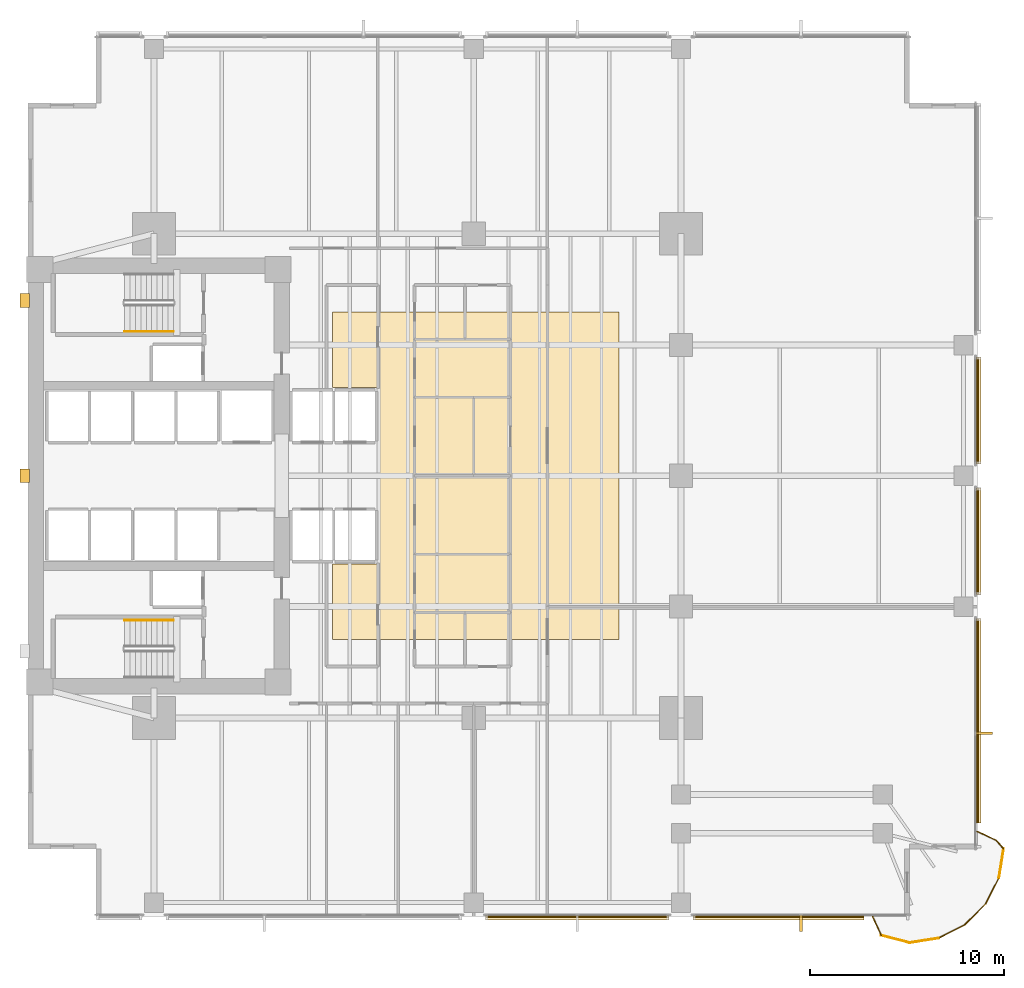
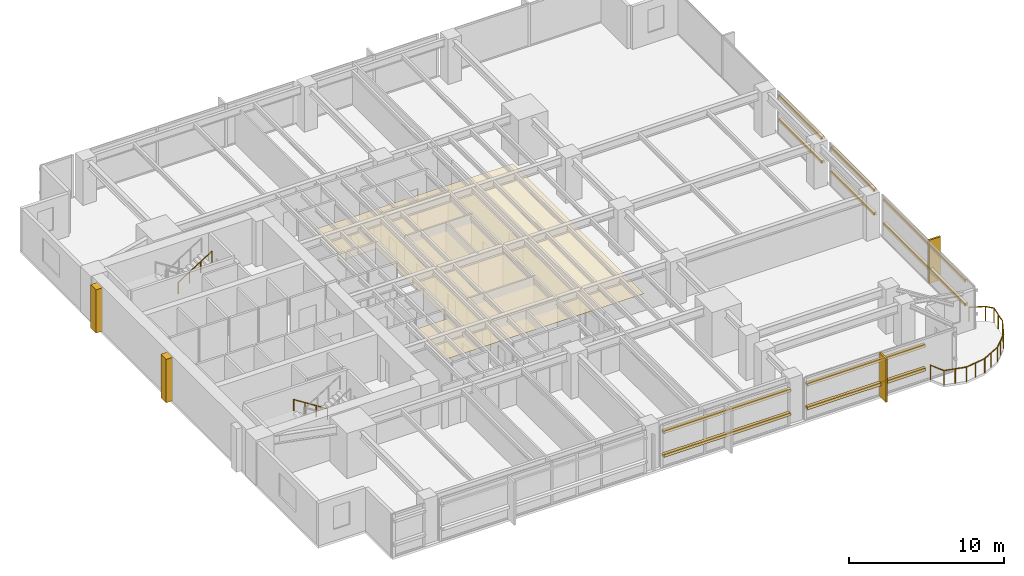
# One storey, part 13 of 15: 15 coverings, 11 railings, 10 shading devices.
"""IFC4 building model written with IfcOpenShell, lengths in metres."""

from ifc_helpers import new_model, si_unit, direction, frame, origin, origin_2d, place, context, subcontext, project, spatial, polyline, rectangle, circle, outline, extrude, material, layer, layer_set, material_profile, profile_set, type_object, element, save


model = new_model("IFC4")

# Units and contexts
model_context = context("Model", 3, precision=1e-05, world=origin(), true_north=direction((0.0, 1.0)))
body_context = subcontext(model_context, "Body", "Model", "MODEL_VIEW")
ifc_project = project(units=[si_unit("LENGTHUNIT", "METRE"), si_unit("AREAUNIT", "SQUARE_METRE"), si_unit("VOLUMEUNIT", "CUBIC_METRE"), si_unit("PLANEANGLEUNIT", "RADIAN"), si_unit("MASSUNIT", "GRAM", prefix="KILO")], contexts=[model_context])

# Site, building, storey
site_placement = place(None, origin())
site = spatial("IfcSite", under=ifc_project, at=site_placement, CompositionType="ELEMENT")
building_placement = place(site_placement, origin())
building = spatial("IfcBuilding", under=site, at=building_placement, Name="Kinhvarn Gate Tower", CompositionType="ELEMENT")
storey_placement = place(building_placement, frame((0.0, 0.0, 85.949951171875)))
storey = spatial("IfcBuildingStorey", under=building, at=storey_placement, Name="L22", CompositionType="ELEMENT", Elevation=85.949951171875)

# Coverings
ifc_material_1 = material(Name="Fired architectural terracotta", Category="masonry")
ifc_layer_1 = layer(ifc_material_1, 0.239990234375)
ifc_layer_set_1 = layer_set([ifc_layer_1], Name="Fired architectural terracotta")
covering_type_1 = type_object("IfcCoveringType", Name="COV-BAG-220", PredefinedType="CLADDING", material=ifc_layer_set_1)
covering_1_placement = place(storey_placement, frame((0.0, 0.0, 0.93994140625)))
element("IfcCovering", 1, at=covering_1_placement, inside=storey, type_object=covering_type_1, Name="Terracotta Horizontal Sunscreen Band TBG-220 (L22)", PredefinedType="CLADDING", context=body_context, shape_type="SweptSolid", body=[
    extrude(outline(polyline([(28.1201171875, 2.56005859375), (37.580078125, 2.56005859375), (37.580078125, 2.320068359375), (28.1201171875, 2.320068359375), (28.1201171875, 2.56005859375)])), origin(), (0.0, 0.0, 1.0), 0.22021484375),
])
covering_2_placement = place(storey_placement, frame((0.0, 0.0, 2.81005859375)))
element("IfcCovering", 2, at=covering_2_placement, inside=storey, type_object=covering_type_1, Name="Terracotta Horizontal Sunscreen Band TBG-220 (L22)", PredefinedType="CLADDING", context=body_context, shape_type="SweptSolid", body=[
    extrude(outline(polyline([(28.1201171875, 2.56005859375), (37.580078125, 2.56005859375), (37.580078125, 2.320068359375), (28.1201171875, 2.320068359375), (28.1201171875, 2.56005859375)])), origin(), (0.0, 0.0, 1.0), 0.219970703125),
])
covering_3_placement = place(storey_placement, frame((0.0, 0.0, 0.93994140625)))
element("IfcCovering", 3, at=covering_3_placement, inside=storey, type_object=covering_type_1, Name="Terracotta Horizontal Sunscreen Band TBG-220 (L22)", PredefinedType="CLADDING", context=body_context, shape_type="SweptSolid", body=[
    extrude(outline(polyline([(38.820068359375, 2.56005859375), (47.639892578125, 2.56005859375), (47.639892578125, 2.320068359375), (38.820068359375, 2.320068359375), (38.820068359375, 2.56005859375)])), origin(), (0.0, 0.0, 1.0), 0.22021484375),
])
covering_4_placement = place(storey_placement, frame((0.0, 0.0, 2.81005859375)))
element("IfcCovering", 4, at=covering_4_placement, inside=storey, type_object=covering_type_1, Name="Terracotta Horizontal Sunscreen Band TBG-220 (L22)", PredefinedType="CLADDING", context=body_context, shape_type="SweptSolid", body=[
    extrude(outline(polyline([(38.820068359375, 2.56005859375), (47.639892578125, 2.56005859375), (47.639892578125, 2.320068359375), (38.820068359375, 2.320068359375), (38.820068359375, 2.56005859375)])), origin(), (0.0, 0.0, 1.0), 0.219970703125),
])
covering_5_placement = place(storey_placement, frame((0.0, 0.0, 0.93994140625)))
element("IfcCovering", 5, at=covering_5_placement, inside=storey, type_object=covering_type_1, Name="Terracotta Horizontal Sunscreen Band TBG-220 (L22)", PredefinedType="CLADDING", context=body_context, shape_type="SweptSolid", body=[
    extrude(outline(polyline([(53.43994140625, 7.3359375), (53.43994140625, 17.8798828125), (53.679931640625, 17.8798828125), (53.679931640625, 7.3359375), (53.43994140625, 7.3359375)])), origin(), (0.0, 0.0, 1.0), 0.22021484375),
])
covering_6_placement = place(storey_placement, frame((0.0, 0.0, 2.81005859375)))
element("IfcCovering", 6, at=covering_6_placement, inside=storey, type_object=covering_type_1, Name="Terracotta Horizontal Sunscreen Band TBG-220 (L22)", PredefinedType="CLADDING", context=body_context, shape_type="SweptSolid", body=[
    extrude(outline(polyline([(53.43994140625, 7.3359375), (53.43994140625, 17.8798828125), (53.679931640625, 17.8798828125), (53.679931640625, 7.3359375), (53.43994140625, 7.3359375)])), origin(), (0.0, 0.0, 1.0), 0.219970703125),
])
covering_7_placement = place(storey_placement, frame((0.0, 0.0, 0.93994140625)))
element("IfcCovering", 7, at=covering_7_placement, inside=storey, type_object=covering_type_1, Name="Terracotta Horizontal Sunscreen Band TBG-220 (L22)", PredefinedType="CLADDING", context=body_context, shape_type="SweptSolid", body=[
    extrude(outline(polyline([(53.43994140625, 19.1201171875), (53.43994140625, 24.6298828125), (53.679931640625, 24.6298828125), (53.679931640625, 19.1201171875), (53.43994140625, 19.1201171875)])), origin(), (0.0, 0.0, 1.0), 0.22021484375),
])
covering_8_placement = place(storey_placement, frame((0.0, 0.0, 2.81005859375)))
element("IfcCovering", 8, at=covering_8_placement, inside=storey, type_object=covering_type_1, Name="Terracotta Horizontal Sunscreen Band TBG-220 (L22)", PredefinedType="CLADDING", context=body_context, shape_type="SweptSolid", body=[
    extrude(outline(polyline([(53.43994140625, 19.1201171875), (53.43994140625, 24.6298828125), (53.679931640625, 24.6298828125), (53.679931640625, 19.1201171875), (53.43994140625, 19.1201171875)])), origin(), (0.0, 0.0, 1.0), 0.219970703125),
])
covering_9_placement = place(storey_placement, frame((0.0, 0.0, 0.93994140625)))
element("IfcCovering", 9, at=covering_9_placement, inside=storey, type_object=covering_type_1, Name="Terracotta Horizontal Sunscreen Band TBG-220 (L22)", PredefinedType="CLADDING", context=body_context, shape_type="SweptSolid", body=[
    extrude(outline(polyline([(53.43994140625, 25.8701171875), (53.43994140625, 31.3798828125), (53.679931640625, 31.3798828125), (53.679931640625, 25.8701171875), (53.43994140625, 25.8701171875)])), origin(), (0.0, 0.0, 1.0), 0.22021484375),
])
covering_10_placement = place(storey_placement, frame((0.0, 0.0, 2.81005859375)))
element("IfcCovering", 10, at=covering_10_placement, inside=storey, type_object=covering_type_1, Name="Terracotta Horizontal Sunscreen Band TBG-220 (L22)", PredefinedType="CLADDING", context=body_context, shape_type="SweptSolid", body=[
    extrude(outline(polyline([(53.43994140625, 25.8701171875), (53.43994140625, 31.3798828125), (53.679931640625, 31.3798828125), (53.679931640625, 25.8701171875), (53.43994140625, 25.8701171875)])), origin(), (0.0, 0.0, 1.0), 0.219970703125),
])
ifc_material_2 = material(Name="Mineral-fibre acoustic ceiling tile")
ifc_layer_2 = layer(ifc_material_2, 0.02001953125)
ifc_layer_set_2 = layer_set([ifc_layer_2], Name="Mineral-fibre acoustic ceiling tile")
covering_type_2 = type_object("IfcCoveringType", Name="COV-CEIL-20", PredefinedType="CEILING", material=ifc_layer_set_2)
covering_11_placement = place(storey_placement, frame((0.0, 0.0, 2.650146484375)))
element("IfcCovering", 11, at=covering_11_placement, inside=storey, type_object=covering_type_2, Name="Suspended Acoustic Ceiling Tile (L22-1)", PredefinedType="CEILING", context=body_context, shape_type="SweptSolid", body=[
    extrude(outline(polyline([(35.0, 33.699951171875), (35.0, 16.800048828125), (20.199951171875, 16.800048828125), (20.199951171875, 20.699951171875), (22.60009765625, 20.699951171875), (22.60009765625, 29.800048828125), (20.199951171875, 29.800048828125), (20.199951171875, 33.699951171875), (35.0, 33.699951171875)])), origin(), (0.0, 0.0, 1.0), 0.02001953125),
])
ifc_layer_3 = layer(ifc_material_1, 0.139892578125)
ifc_layer_set_3 = layer_set([ifc_layer_3], Name="Fired architectural terracotta")
covering_type_3 = type_object("IfcCoveringType", Name="COV-FIN-850", PredefinedType="CLADDING", material=ifc_layer_set_3)
covering_12_placement = place(storey_placement, frame((0.0, 0.0, -0.02001953125)))
element("IfcCovering", 12, at=covering_12_placement, inside=storey, type_object=covering_type_3, Name="Vertical Terracotta Expressive Fin TFN-850 (L22)", PredefinedType="CLADDING", context=body_context, shape_type="SweptSolid", body=[
    extrude(outline(polyline([(44.320068359375, 2.570068359375), (44.4599609375, 2.570068359375), (44.4599609375, 1.719970703125), (44.320068359375, 1.719970703125), (44.320068359375, 2.570068359375)])), origin(), (0.0, 0.0, 1.0), 3.41015625),
])
covering_13_placement = place(storey_placement, frame((0.0, 0.0, -0.02001953125)))
element("IfcCovering", 13, at=covering_13_placement, inside=storey, type_object=covering_type_3, Name="Vertical Terracotta Expressive Fin TFN-850 (L22)", PredefinedType="CLADDING", context=body_context, shape_type="SweptSolid", body=[
    extrude(outline(polyline([(53.429931640625, 11.889892578125), (53.429931640625, 12.030029296875), (54.280029296875, 12.030029296875), (54.280029296875, 11.889892578125), (53.429931640625, 11.889892578125)])), origin(), (0.0, 0.0, 1.0), 3.41015625),
])
ifc_material_3 = material(Name="Precast white architectural concrete C40/50", Category="concrete")
ifc_layer_4 = layer(ifc_material_3, 0.47998046875)
ifc_layer_set_4 = layer_set([ifc_layer_4], Name="Precast white architectural concrete C40/50")
covering_type_4 = type_object("IfcCoveringType", Name="COV-RIB-450", PredefinedType="CLADDING", material=ifc_layer_set_4)
covering_14_placement = place(storey_placement, frame((0.0, 0.0, -0.02001953125)))
element("IfcCovering", 14, at=covering_14_placement, inside=storey, type_object=covering_type_4, Name="West Core Sculptural Concrete Relief Rib CRB-450 (L22)", PredefinedType="CLADDING", context=body_context, shape_type="SweptSolid", body=[
    extrude(outline(polyline([(4.080078125, 24.89990234375), (4.56005859375, 24.89990234375), (4.56005859375, 25.60009765625), (4.080078125, 25.60009765625), (4.080078125, 24.89990234375)])), origin(), (0.0, 0.0, 1.0), 3.41015625),
])
covering_15_placement = place(storey_placement, frame((0.0, 0.0, -0.02001953125)))
element("IfcCovering", 15, at=covering_15_placement, inside=storey, type_object=covering_type_4, Name="West Core Sculptural Concrete Relief Rib CRB-450 (L22)", PredefinedType="CLADDING", context=body_context, shape_type="SweptSolid", body=[
    extrude(outline(polyline([(4.080078125, 33.949951171875), (4.56005859375, 33.949951171875), (4.56005859375, 34.64990234375), (4.080078125, 34.64990234375), (4.080078125, 33.949951171875)])), origin(), (0.0, 0.0, 1.0), 3.41015625),
])

# Railings
ifc_material_4 = material(Name="Clear low-e double glazing", Category="glass")
railing_type_1 = type_object("IfcRailingType", Name="RL-BAL-1150", PredefinedType="BALUSTRADE", material=ifc_material_4)
railing_1_placement = place(storey_placement, frame((48.090087890625, 2.5, 0.0)))
element("IfcRailing", 16, at=railing_1_placement, inside=storey, type_object=railing_type_1, Name="S-Carve Balcony Guardrail Seg 1 (L22)", PredefinedType="BALUSTRADE", context=body_context, shape_type="SweptSolid", body=[
    extrude(circle(Radius=0.02392578125, at=origin_2d()), frame((0.0, 0.0, 1.1259765625), z_axis=(0.420113139387, -0.90747173516, 0.0), x_axis=(0.90747173516, 0.420113139387, 0.0)), (0.0, 0.0, 1.0), 1.071044921875),
    extrude(circle(Radius=0.02099609375, at=origin_2d()), origin(), (0.0, 0.0, 1.0), 1.101806640625),
    extrude(circle(Radius=0.02099609375, at=origin_2d()), frame((0.449951171875, -0.971923828125, 0.0)), (0.0, 0.0, 1.0), 1.101806640625),
])
railing_2_placement = place(storey_placement, frame((48.5400390625, 1.528076171875, 0.0)))
element("IfcRailing", 17, at=railing_2_placement, inside=storey, type_object=railing_type_1, Name="S-Carve Balcony Guardrail Seg 2 (L22)", PredefinedType="BALUSTRADE", context=body_context, shape_type="SweptSolid", body=[
    extrude(circle(Radius=0.02392578125, at=origin_2d()), frame((0.0, 0.0, 1.1259765625), z_axis=(0.968050766956, -0.250754287293, 0.0), x_axis=(0.250754287293, 0.968050766956, 0.0)), (0.0, 0.0, 1.0), 1.508056640625),
    extrude(circle(Radius=0.02099609375, at=origin_2d()), origin(), (0.0, 0.0, 1.0), 1.101806640625),
    extrude(circle(Radius=0.02099609375, at=origin_2d()), frame((0.72998046875, -0.18896484375, 0.0)), (0.0, 0.0, 1.0), 1.101806640625),
    extrude(circle(Radius=0.02099609375, at=origin_2d()), frame((1.4599609375, -0.378173828125, 0.0)), (0.0, 0.0, 1.0), 1.101806640625),
])
railing_3_placement = place(storey_placement, frame((50.0, 1.14990234375, 0.0)))
element("IfcRailing", 18, at=railing_3_placement, inside=storey, type_object=railing_type_1, Name="S-Carve Balcony Guardrail Seg 3 (L22)", PredefinedType="BALUSTRADE", context=body_context, shape_type="SweptSolid", body=[
    extrude(circle(Radius=0.02392578125, at=origin_2d()), frame((0.0, 0.0, 1.1259765625), z_axis=(0.987671483067, 0.156540862196, 0.0), x_axis=(-0.156540862196, 0.987671483067, 0.0)), (0.0, 0.0, 1.0), 1.517578125),
    extrude(circle(Radius=0.02099609375, at=origin_2d()), origin(), (0.0, 0.0, 1.0), 1.101806640625),
    extrude(circle(Radius=0.02099609375, at=origin_2d()), frame((0.74951171875, 0.11865234375, 0.0)), (0.0, 0.0, 1.0), 1.101806640625),
    extrude(circle(Radius=0.02099609375, at=origin_2d()), frame((1.498779296875, 0.237548828125, 0.0)), (0.0, 0.0, 1.0), 1.101806640625),
])
railing_4_placement = place(storey_placement, frame((51.498779296875, 1.387451171875, 0.0)))
element("IfcRailing", 19, at=railing_4_placement, inside=storey, type_object=railing_type_1, Name="S-Carve Balcony Guardrail Seg 4 (L22)", PredefinedType="BALUSTRADE", context=body_context, shape_type="SweptSolid", body=[
    extrude(circle(Radius=0.02392578125, at=origin_2d()), frame((0.0, 0.0, 1.1259765625), z_axis=(0.890990379828, 0.454022183437, 0.0), x_axis=(-0.454022183437, 0.890990379828, 0.0)), (0.0, 0.0, 1.0), 1.517578125),
    extrude(circle(Radius=0.02099609375, at=origin_2d()), origin(), (0.0, 0.0, 1.0), 1.101806640625),
    extrude(circle(Radius=0.02099609375, at=origin_2d()), frame((0.676025390625, 0.344482421875, 0.0)), (0.0, 0.0, 1.0), 1.101806640625),
    extrude(circle(Radius=0.02099609375, at=origin_2d()), frame((1.35205078125, 0.68896484375, 0.0)), (0.0, 0.0, 1.0), 1.101806640625),
])
railing_5_placement = place(storey_placement, frame((52.850830078125, 2.076416015625, 0.0)))
element("IfcRailing", 20, at=railing_5_placement, inside=storey, type_object=railing_type_1, Name="S-Carve Balcony Guardrail Seg 5 (L22)", PredefinedType="BALUSTRADE", context=body_context, shape_type="SweptSolid", body=[
    extrude(circle(Radius=0.02392578125, at=origin_2d()), frame((0.0, 0.0, 1.1259765625), z_axis=(0.707106781187, 0.707106781187, 0.0), x_axis=(-0.707106781187, 0.707106781187, 0.0)), (0.0, 0.0, 1.0), 1.51708984375),
    extrude(circle(Radius=0.02099609375, at=origin_2d()), origin(), (0.0, 0.0, 1.0), 1.101806640625),
    extrude(circle(Radius=0.02099609375, at=origin_2d()), frame((0.536376953125, 0.536376953125, 0.0)), (0.0, 0.0, 1.0), 1.101806640625),
    extrude(circle(Radius=0.02099609375, at=origin_2d()), frame((1.07275390625, 1.07275390625, 0.0)), (0.0, 0.0, 1.0), 1.101806640625),
])
railing_6_placement = place(storey_placement, frame((53.923583984375, 3.149169921875, 0.0)))
element("IfcRailing", 21, at=railing_6_placement, inside=storey, type_object=railing_type_1, Name="S-Carve Balcony Guardrail Seg 6 (L22)", PredefinedType="BALUSTRADE", context=body_context, shape_type="SweptSolid", body=[
    extrude(circle(Radius=0.02392578125, at=origin_2d()), frame((0.0, 0.0, 1.1259765625), z_axis=(0.454022183437, 0.890990379828, 0.0), x_axis=(-0.890990379828, 0.454022183437, 0.0)), (0.0, 0.0, 1.0), 1.517578125),
    extrude(circle(Radius=0.02099609375, at=origin_2d()), origin(), (0.0, 0.0, 1.0), 1.101806640625),
    extrude(circle(Radius=0.02099609375, at=origin_2d()), frame((0.344482421875, 0.676025390625, 0.0)), (0.0, 0.0, 1.0), 1.101806640625),
    extrude(circle(Radius=0.02099609375, at=origin_2d()), frame((0.68896484375, 1.35205078125, 0.0)), (0.0, 0.0, 1.0), 1.101806640625),
])
railing_7_placement = place(storey_placement, frame((54.612548828125, 4.501220703125, 0.0)))
element("IfcRailing", 22, at=railing_7_placement, inside=storey, type_object=railing_type_1, Name="S-Carve Balcony Guardrail Seg 7 (L22)", PredefinedType="BALUSTRADE", context=body_context, shape_type="SweptSolid", body=[
    extrude(circle(Radius=0.02392578125, at=origin_2d()), frame((0.0, 0.0, 1.1259765625), z_axis=(0.156540862196, 0.987671483067, 0.0), x_axis=(-0.987671483067, 0.156540862196, 0.0)), (0.0, 0.0, 1.0), 1.517578125),
    extrude(circle(Radius=0.02099609375, at=origin_2d()), origin(), (0.0, 0.0, 1.0), 1.101806640625),
    extrude(circle(Radius=0.02099609375, at=origin_2d()), frame((0.11865234375, 0.74951171875, 0.0)), (0.0, 0.0, 1.0), 1.101806640625),
    extrude(circle(Radius=0.02099609375, at=origin_2d()), frame((0.237548828125, 1.498779296875, 0.0)), (0.0, 0.0, 1.0), 1.101806640625),
])
railing_8_placement = place(storey_placement, frame((54.85009765625, 6.0, 0.0)))
element("IfcRailing", 23, at=railing_8_placement, inside=storey, type_object=railing_type_1, Name="S-Carve Balcony Guardrail Seg 8 (L22)", PredefinedType="BALUSTRADE", context=body_context, shape_type="SweptSolid", body=[
    extrude(circle(Radius=0.02392578125, at=origin_2d()), frame((0.0, 0.0, 1.1259765625), z_axis=(-0.655204254975, 0.755451774942, 0.0), x_axis=(-0.755451774942, -0.655204254975, 0.0)), (0.0, 0.0, 1.0), 0.5771484375),
    extrude(circle(Radius=0.02099609375, at=origin_2d()), origin(), (0.0, 0.0, 1.0), 1.101806640625),
    extrude(circle(Radius=0.02099609375, at=origin_2d()), frame((-0.378173828125, 0.43603515625, 0.0)), (0.0, 0.0, 1.0), 1.101806640625),
])
railing_9_placement = place(storey_placement, frame((54.471923828125, 6.43603515625, 0.0)))
element("IfcRailing", 24, at=railing_9_placement, inside=storey, type_object=railing_type_1, Name="S-Carve Balcony Guardrail Seg 9 (L22)", PredefinedType="BALUSTRADE", context=body_context, shape_type="SweptSolid", body=[
    extrude(circle(Radius=0.02392578125, at=origin_2d()), frame((0.0, 0.0, 1.1259765625), z_axis=(-0.90747173516, 0.420113139387, 0.0), x_axis=(-0.420113139387, -0.90747173516, 0.0)), (0.0, 0.0, 1.0), 1.071044921875),
    extrude(circle(Radius=0.02099609375, at=origin_2d()), origin(), (0.0, 0.0, 1.0), 1.101806640625),
    extrude(circle(Radius=0.02099609375, at=origin_2d()), frame((-0.971923828125, 0.449951171875, 0.0)), (0.0, 0.0, 1.0), 1.101806640625),
])
ifc_material_5 = material(Name="Steel S355", Category="steel")
railing_type_2 = type_object("IfcRailingType", Name="RL-ST-HND", PredefinedType="HANDRAIL", material=ifc_material_5)
railing_10_placement = place(storey_placement, frame((12.0, 17.800048828125, 0.177490234375)))
element("IfcRailing", 25, at=railing_10_placement, inside=storey, type_object=railing_type_2, Name="L22 ST1 stair handrail 1", PredefinedType="HANDRAIL", context=body_context, shape_type="SweptSolid", body=[
    extrude(circle(Radius=0.02392578125, at=origin_2d()), frame((0.0, 0.0, 0.8759765625), z_axis=(-0.84456994832, 0.0, 0.535445237532), x_axis=(0.0, -1.0, 0.0)), (0.0, 0.0, 1.0), 2.98388671875),
    extrude(circle(Radius=0.02099609375, at=origin_2d()), origin(), (0.0, 0.0, 1.0), 0.851806640625),
    extrude(circle(Radius=0.02099609375, at=origin_2d()), frame((-0.840087890625, 0.0, 0.532470703125)), (0.0, 0.0, 1.0), 0.851806640625),
    extrude(circle(Radius=0.02099609375, at=origin_2d()), frame((-1.679931640625, 0.0, 1.065185546875)), (0.0, 0.0, 1.0), 0.851806640625),
    extrude(circle(Radius=0.02099609375, at=origin_2d()), frame((-2.52001953125, 0.0, 1.59765625)), (0.0, 0.0, 1.0), 0.851806640625),
])
railing_11_placement = place(storey_placement, frame((9.47998046875, 32.699951171875, 1.95263671875)))
element("IfcRailing", 26, at=railing_11_placement, inside=storey, type_object=railing_type_2, Name="L22 ST2 stair handrail 2", PredefinedType="HANDRAIL", context=body_context, shape_type="SweptSolid", body=[
    extrude(circle(Radius=0.02392578125, at=origin_2d()), frame((0.0, 0.0, 0.8759765625), z_axis=(0.84460694969, 0.0, 0.535386869969), x_axis=(0.0, 1.0, 0.0)), (0.0, 0.0, 1.0), 2.983642578125),
    extrude(circle(Radius=0.02099609375, at=origin_2d()), origin(), (0.0, 0.0, 1.0), 0.851806640625),
    extrude(circle(Radius=0.02099609375, at=origin_2d()), frame((0.840087890625, 0.0, 0.532470703125)), (0.0, 0.0, 1.0), 0.851806640625),
    extrude(circle(Radius=0.02099609375, at=origin_2d()), frame((1.679931640625, 0.0, 1.06494140625)), (0.0, 0.0, 1.0), 0.851806640625),
    extrude(circle(Radius=0.02099609375, at=origin_2d()), frame((2.52001953125, 0.0, 1.597412109375)), (0.0, 0.0, 1.0), 0.851806640625),
])

# Shading devices
ifc_material_profile = material_profile(ifc_material_1, rectangle(XDim=0.06005859375, YDim=0.139892578125, at=origin_2d()), Name="TC 60x140")
ifc_profile_set = profile_set([ifc_material_profile], Name="Fired architectural terracotta")
shading_device_type = type_object("IfcShadingDeviceType", Name="SHD-BAG-180", PredefinedType="USERDEFINED", material=ifc_profile_set)
for number, where, z_axis, x_axis, name in (
    (27, (28.1201171875, 2.485107421875, 1.050048828125), (1.0, 0.0, 0.0), (0.0, 1.0, 0.0), "Fired Terracotta Baguette Screen Rod 60x140 mm (L22)"),
    (28, (28.1201171875, 2.485107421875, 2.920166015625), (1.0, 0.0, 0.0), (0.0, 1.0, 0.0), "Fired Terracotta Baguette Screen Rod 60x140 mm (L22)"),
):
    element("IfcShadingDevice", number, at=place(storey_placement, frame(where, z_axis=z_axis, x_axis=x_axis)), inside=storey, type_object=shading_device_type, Name=name, ObjectType="BAGUETTE", PredefinedType="USERDEFINED", context=body_context, shape_type="SweptSolid", body=[
        extrude(rectangle(XDim=0.06005859375, YDim=0.139892578125, at=origin_2d()), origin(), (0.0, 0.0, 1.0), 9.4599609375),
    ])
for number, where, z_axis, x_axis, name in (
    (29, (38.820068359375, 2.485107421875, 1.050048828125), (1.0, 0.0, 0.0), (0.0, 1.0, 0.0), "Fired Terracotta Baguette Screen Rod 60x140 mm (L22)"),
    (30, (38.820068359375, 2.485107421875, 2.920166015625), (1.0, 0.0, 0.0), (0.0, 1.0, 0.0), "Fired Terracotta Baguette Screen Rod 60x140 mm (L22)"),
):
    element("IfcShadingDevice", number, at=place(storey_placement, frame(where, z_axis=z_axis, x_axis=x_axis)), inside=storey, type_object=shading_device_type, Name=name, ObjectType="BAGUETTE", PredefinedType="USERDEFINED", context=body_context, shape_type="SweptSolid", body=[
        extrude(rectangle(XDim=0.06005859375, YDim=0.139892578125, at=origin_2d()), origin(), (0.0, 0.0, 1.0), 8.81982421875),
    ])
for number, where, z_axis, x_axis, name in (
    (31, (53.514892578125, 7.3359375, 1.050048828125), (0.0, 1.0, 0.0), (-1.0, 0.0, 0.0), "Fired Terracotta Baguette Screen Rod 60x140 mm (L22)"),
    (32, (53.514892578125, 7.3359375, 2.920166015625), (0.0, 1.0, 0.0), (-1.0, 0.0, 0.0), "Fired Terracotta Baguette Screen Rod 60x140 mm (L22)"),
):
    element("IfcShadingDevice", number, at=place(storey_placement, frame(where, z_axis=z_axis, x_axis=x_axis)), inside=storey, type_object=shading_device_type, Name=name, ObjectType="BAGUETTE", PredefinedType="USERDEFINED", context=body_context, shape_type="SweptSolid", body=[
        extrude(rectangle(XDim=0.06005859375, YDim=0.139892578125, at=origin_2d()), origin(), (0.0, 0.0, 1.0), 10.5439453125),
    ])
for number, where, z_axis, x_axis, name in (
    (33, (53.514892578125, 19.1201171875, 1.050048828125), (0.0, 1.0, 0.0), (-1.0, 0.0, 0.0), "Fired Terracotta Baguette Screen Rod 60x140 mm (L22)"),
    (34, (53.514892578125, 19.1201171875, 2.920166015625), (0.0, 1.0, 0.0), (-1.0, 0.0, 0.0), "Fired Terracotta Baguette Screen Rod 60x140 mm (L22)"),
    (35, (53.514892578125, 25.8701171875, 1.050048828125), (0.0, 1.0, 0.0), (-1.0, 0.0, 0.0), "Fired Terracotta Baguette Screen Rod 60x140 mm (L22)"),
    (36, (53.514892578125, 25.8701171875, 2.920166015625), (0.0, 1.0, 0.0), (-1.0, 0.0, 0.0), "Fired Terracotta Baguette Screen Rod 60x140 mm (L22)"),
):
    element("IfcShadingDevice", number, at=place(storey_placement, frame(where, z_axis=z_axis, x_axis=x_axis)), inside=storey, type_object=shading_device_type, Name=name, ObjectType="BAGUETTE", PredefinedType="USERDEFINED", context=body_context, shape_type="SweptSolid", body=[
        extrude(rectangle(XDim=0.06005859375, YDim=0.139892578125, at=origin_2d()), origin(), (0.0, 0.0, 1.0), 5.509765625),
    ])

save(model, "model.ifc")
